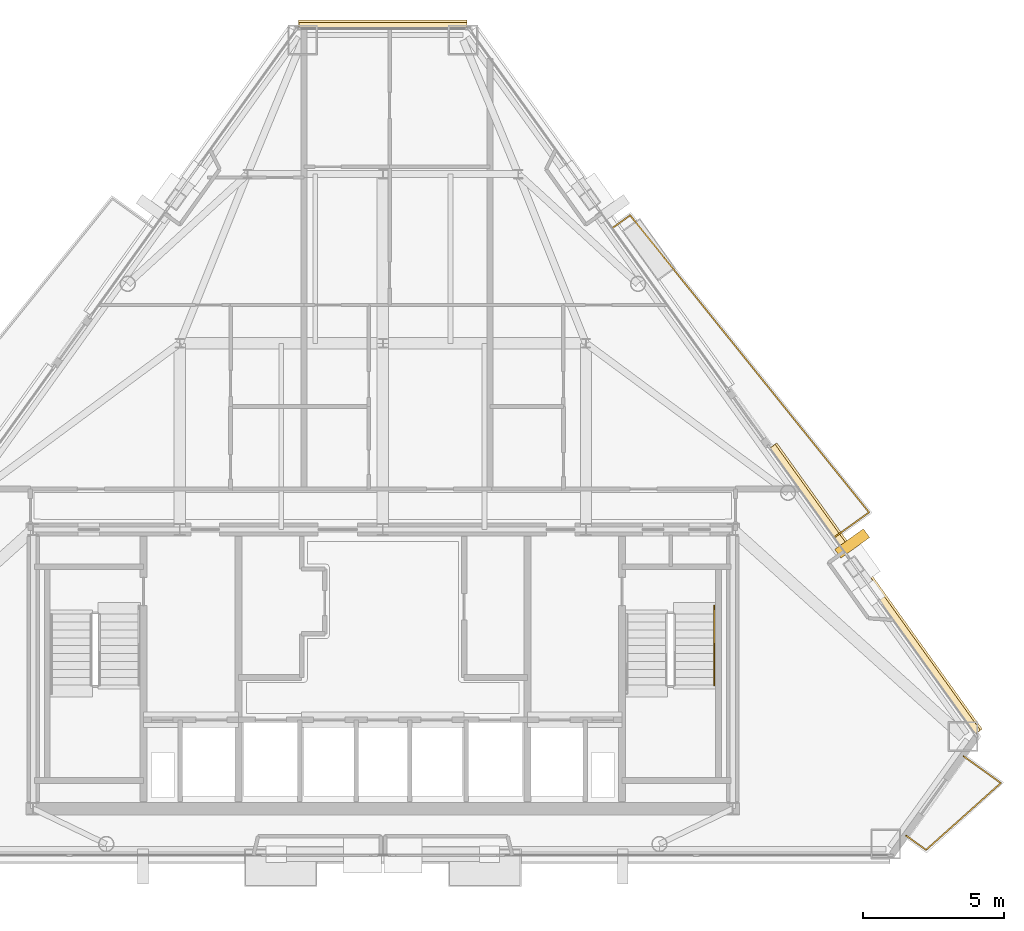
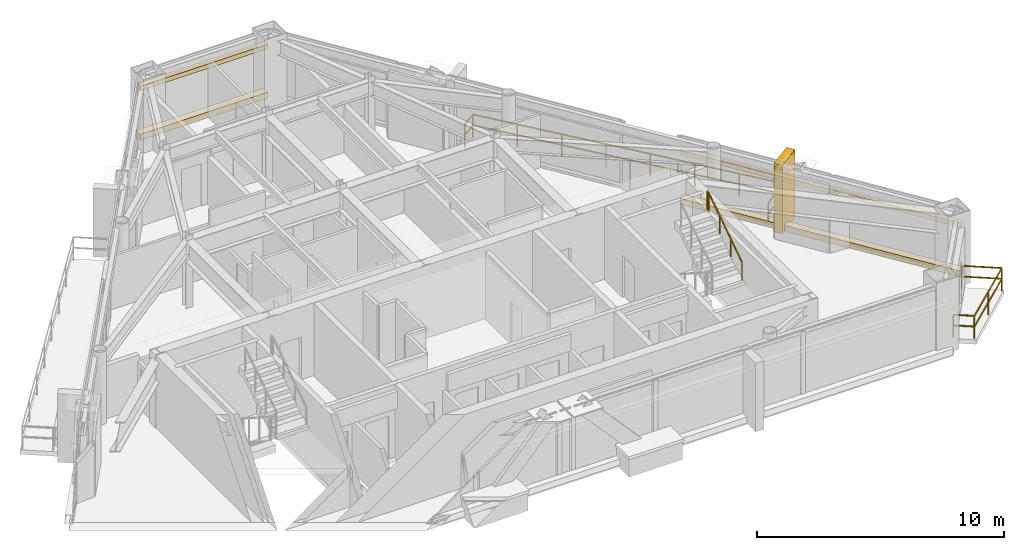
# One storey, part 12 of 12: 5 coverings, 3 railings.
"""IFC4 building model written with IfcOpenShell, lengths in metres."""

from ifc_helpers import new_model, si_unit, direction, frame, origin, origin_2d, place, context, subcontext, project, spatial, rectangle, extrude, material, layer, layer_set, type_object, element, save


model = new_model("IFC4")

# Units and contexts
model_context = context("Model", 3, precision=1e-05, world=origin(), true_north=direction((0.0, 1.0)))
body_context = subcontext(model_context, "Body", "Model", "MODEL_VIEW")
ifc_project = project(units=[si_unit("LENGTHUNIT", "METRE"), si_unit("AREAUNIT", "SQUARE_METRE"), si_unit("VOLUMEUNIT", "CUBIC_METRE"), si_unit("PLANEANGLEUNIT", "RADIAN"), si_unit("MASSUNIT", "GRAM", prefix="KILO")], contexts=[model_context])

# Site, building, storey
site_placement = place(None, origin())
site = spatial("IfcSite", under=ifc_project, at=site_placement, CompositionType="ELEMENT")
building_placement = place(site_placement, origin())
building = spatial("IfcBuilding", under=site, at=building_placement, Name="Talgorran Terracotta Tower", CompositionType="ELEMENT")
storey_placement = place(building_placement, frame((0.0, 0.0, 221.699951171875)))
storey = spatial("IfcBuildingStorey", under=building, at=storey_placement, Name="L58", CompositionType="ELEMENT", Elevation=221.699951171875)

# Coverings
ifc_material_1 = material(Name="Kiln-Fired Terracotta Ochre Ceramic", Category="masonry")
ifc_layer_1 = layer(ifc_material_1, 0.179931640625, Name="COV_BAGUETTE_TERRACOTTA_SCREEN")
ifc_layer_set_1 = layer_set([ifc_layer_1], Name="Kiln-Fired Terracotta Ochre Ceramic")
covering_type_1 = type_object("IfcCoveringType", Name="COV_BAGUETTE_TERRACOTTA_SCREEN", PredefinedType="CLADDING", material=ifc_layer_set_1)
covering_1_placement = place(storey_placement, frame((17.439453125, -6.3251953125, 2.41015625), z_axis=(0.0, 0.0, 1.0), x_axis=(-0.583115925445, 0.812388957023, 0.0)))
element("IfcCovering", 1, at=covering_1_placement, inside=storey, type_object=covering_type_1, Name="L58 Terracotta Baguette Solar Screen Assembly F40", PredefinedType="CLADDING", context=body_context, shape_type="SweptSolid", body=[
    extrude(rectangle(XDim=12.473388671875, YDim=0.260009765625, at=origin_2d()), origin(), (0.0, 0.0, 1.0), 0.219970703125),
])
covering_2_placement = place(storey_placement, frame((0.0, 13.653076171875, 2.41015625), z_axis=(0.0, 0.0, 1.0), x_axis=(-1.0, 0.0, 0.0)))
element("IfcCovering", 2, at=covering_2_placement, inside=storey, type_object=covering_type_1, Name="L58 Terracotta Baguette Solar Screen Assembly F4", PredefinedType="CLADDING", context=body_context, shape_type="SweptSolid", body=[
    extrude(rectangle(XDim=5.95654296875, YDim=0.260009765625, at=origin_2d()), origin(), (0.0, 0.0, 1.0), 0.219970703125),
])
ifc_material_2 = material(Name="Honed Limestone Cladding", Category="masonry")
ifc_layer_2 = layer(ifc_material_2, 0.094970703125, Name="COV_PORTAL_LIME")
ifc_layer_set_2 = layer_set([ifc_layer_2], Name="Honed Limestone Cladding")
covering_type_2 = type_object("IfcCoveringType", Name="COV_PORTAL_LIME", PredefinedType="CLADDING", material=ifc_layer_set_2)
covering_3_placement = place(storey_placement, frame((17.471923828125, -6.302001953125, -0.0400390625), z_axis=(0.0, 0.0, 1.0), x_axis=(-0.583115925445, 0.812388957023, 0.0)))
element("IfcCovering", 3, at=covering_3_placement, inside=storey, type_object=covering_type_2, Name="L58 Striped Postmodern Portal Cladding Band F40", PredefinedType="CLADDING", context=body_context, shape_type="SweptSolid", body=[
    extrude(rectangle(XDim=12.493408203125, YDim=0.340087890625, at=origin_2d()), origin(), (0.0, 0.0, 1.0), 0.300048828125),
])
covering_4_placement = place(storey_placement, frame((0.0, 13.693115234375, -0.0400390625), z_axis=(0.0, 0.0, 1.0), x_axis=(-1.0, 0.0, 0.0)))
element("IfcCovering", 4, at=covering_4_placement, inside=storey, type_object=covering_type_2, Name="L58 Striped Postmodern Portal Cladding Band F4", PredefinedType="CLADDING", context=body_context, shape_type="SweptSolid", body=[
    extrude(rectangle(XDim=5.9765625, YDim=0.340087890625, at=origin_2d()), origin(), (0.0, 0.0, 1.0), 0.300048828125),
])
ifc_material_3 = material(Name="Kiln-Fired Terracotta Cladding", Category="masonry")
ifc_layer_3 = layer(ifc_material_3, 0.090087890625, Name="COV_PORTAL_TERRA")
ifc_layer_set_3 = layer_set([ifc_layer_3], Name="Kiln-Fired Terracotta Cladding")
covering_type_3 = type_object("IfcCoveringType", Name="COV_PORTAL_TERRA", PredefinedType="CLADDING", material=ifc_layer_set_3)
covering_5_placement = place(storey_placement, frame((16.638671875, -4.695068359375, -0.050048828125), z_axis=(0.0, 0.0, 1.0), x_axis=(-0.583115925445, 0.812388957023, 0.0)))
element("IfcCovering", 5, at=covering_5_placement, inside=storey, type_object=covering_type_3, Name="L58 Terracotta Striped Portal Fin F3-1", PredefinedType="CLADDING", context=body_context, shape_type="SweptSolid", body=[
    extrude(rectangle(XDim=0.3798828125, YDim=1.25, at=origin_2d()), origin(), (0.0, 0.0, 1.0), 3.39501953125),
])

# Railings
ifc_material_4 = material(Name="Laminated Glass and Stainless Steel 316", Category="steel")
railing_type_1 = type_object("IfcRailingType", Name="RL_BALCONY_1150", PredefinedType="BALUSTRADE", material=ifc_material_4)
railing_1_placement = place(storey_placement, frame((16.01171875, -4.473388671875, 0.0)))
element("IfcRailing", 6, at=railing_1_placement, inside=storey, type_object=railing_type_1, Name="RL-L58-BAL-BAL-NE", PredefinedType="BALUSTRADE", context=body_context, shape_type="SweptSolid", body=[
    extrude(rectangle(XDim=0.048095703125, YDim=0.048095703125, at=origin_2d()), frame((0.0, 0.0, 1.1259765625), z_axis=(0.812364996467, 0.583149305509, 0.0), x_axis=(-0.583149305509, 0.812364996467, 0.0)), (0.0, 0.0, 1.0), 1.50927734375),
    extrude(rectangle(XDim=0.048095703125, YDim=0.048095703125, at=origin_2d()), frame((0.0, 0.0, 0.597900390625), z_axis=(0.812364996467, 0.583149305509, 0.0), x_axis=(-0.583149305509, 0.812364996467, 0.0)), (0.0, 0.0, 1.0), 1.50927734375),
    extrude(rectangle(XDim=0.048095703125, YDim=0.048095703125, at=origin_2d()), frame((1.22607421875, 0.880126953125, 1.1259765625), z_axis=(-0.626748153954, 0.779221888499, 0.0), x_axis=(-0.779221888499, -0.626748153954, 0.0)), (0.0, 0.0, 1.0), 13.515625),
    extrude(rectangle(XDim=0.048095703125, YDim=0.048095703125, at=origin_2d()), frame((1.22607421875, 0.880126953125, 0.597900390625), z_axis=(-0.626748153954, 0.779221888499, 0.0), x_axis=(-0.779221888499, -0.626748153954, 0.0)), (0.0, 0.0, 1.0), 13.515625),
    extrude(rectangle(XDim=0.048095703125, YDim=0.048095703125, at=origin_2d()), frame((-7.244873046875, 11.411865234375, 1.1259765625), z_axis=(-0.812400885545, -0.583099306435, 0.0), x_axis=(0.583099306435, -0.812400885545, 0.0)), (0.0, 0.0, 1.0), 0.768798828125),
    extrude(rectangle(XDim=0.048095703125, YDim=0.048095703125, at=origin_2d()), frame((-7.244873046875, 11.411865234375, 0.597900390625), z_axis=(-0.812400885545, -0.583099306435, 0.0), x_axis=(0.583099306435, -0.812400885545, 0.0)), (0.0, 0.0, 1.0), 0.768798828125),
    extrude(rectangle(XDim=0.0419921875, YDim=0.0419921875, at=origin_2d()), origin(), (0.0, 0.0, 1.0), 1.101806640625),
    extrude(rectangle(XDim=0.0419921875, YDim=0.0419921875, at=origin_2d()), frame((1.22607421875, 0.880126953125, 0.0)), (0.0, 0.0, 1.0), 1.101806640625),
    extrude(rectangle(XDim=0.0419921875, YDim=0.0419921875, at=origin_2d()), frame((0.015869140625, 2.384765625, 0.0)), (0.0, 0.0, 1.0), 1.101806640625),
    extrude(rectangle(XDim=0.0419921875, YDim=0.0419921875, at=origin_2d()), frame((-1.194091796875, 3.88916015625, 0.0)), (0.0, 0.0, 1.0), 1.101806640625),
    extrude(rectangle(XDim=0.0419921875, YDim=0.0419921875, at=origin_2d()), frame((-2.404296875, 5.393798828125, 0.0)), (0.0, 0.0, 1.0), 1.101806640625),
    extrude(rectangle(XDim=0.0419921875, YDim=0.0419921875, at=origin_2d()), frame((-3.614501953125, 6.898193359375, 0.0)), (0.0, 0.0, 1.0), 1.101806640625),
    extrude(rectangle(XDim=0.0419921875, YDim=0.0419921875, at=origin_2d()), frame((-4.82470703125, 8.40283203125, 0.0)), (0.0, 0.0, 1.0), 1.101806640625),
    extrude(rectangle(XDim=0.0419921875, YDim=0.0419921875, at=origin_2d()), frame((-6.03466796875, 9.9072265625, 0.0)), (0.0, 0.0, 1.0), 1.101806640625),
    extrude(rectangle(XDim=0.0419921875, YDim=0.0419921875, at=origin_2d()), frame((-7.244873046875, 11.411865234375, 0.0)), (0.0, 0.0, 1.0), 1.101806640625),
    extrude(rectangle(XDim=0.0419921875, YDim=0.0419921875, at=origin_2d()), frame((-7.869384765625, 10.963623046875, 0.0)), (0.0, 0.0, 1.0), 1.101806640625),
])
railing_2_placement = place(storey_placement, frame((18.55810546875, -15.058349609375, 0.0)))
element("IfcRailing", 7, at=railing_2_placement, inside=storey, type_object=railing_type_1, Name="RL-L58-BAL-BAL-SE", PredefinedType="BALUSTRADE", context=body_context, shape_type="SweptSolid", body=[
    extrude(rectangle(XDim=0.048095703125, YDim=0.048095703125, at=origin_2d()), frame((0.0, 0.0, 1.1259765625), z_axis=(0.812351297047, -0.583168389221, 0.0), x_axis=(0.583168389221, 0.812351297047, 0.0)), (0.0, 0.0, 1.0), 0.86083984375),
    extrude(rectangle(XDim=0.048095703125, YDim=0.048095703125, at=origin_2d()), frame((0.0, 0.0, 0.597900390625), z_axis=(0.812351297047, -0.583168389221, 0.0), x_axis=(0.583168389221, 0.812351297047, 0.0)), (0.0, 0.0, 1.0), 0.86083984375),
    extrude(rectangle(XDim=0.048095703125, YDim=0.048095703125, at=origin_2d()), frame((0.69921875, -0.501953125, 1.1259765625), z_axis=(0.745494311556, 0.666511988968, 0.0), x_axis=(-0.666511988968, 0.745494311556, 0.0)), (0.0, 0.0, 1.0), 3.557861328125),
    extrude(rectangle(XDim=0.048095703125, YDim=0.048095703125, at=origin_2d()), frame((0.69921875, -0.501953125, 0.597900390625), z_axis=(0.745494311556, 0.666511988968, 0.0), x_axis=(-0.666511988968, 0.745494311556, 0.0)), (0.0, 0.0, 1.0), 3.557861328125),
    extrude(rectangle(XDim=0.048095703125, YDim=0.048095703125, at=origin_2d()), frame((3.3515625, 1.869384765625, 1.1259765625), z_axis=(-0.812367323753, 0.583146063434, 0.0), x_axis=(-0.583146063434, -0.812367323753, 0.0)), (0.0, 0.0, 1.0), 1.6328125),
    extrude(rectangle(XDim=0.048095703125, YDim=0.048095703125, at=origin_2d()), frame((3.3515625, 1.869384765625, 0.597900390625), z_axis=(-0.812367323753, 0.583146063434, 0.0), x_axis=(-0.583146063434, -0.812367323753, 0.0)), (0.0, 0.0, 1.0), 1.6328125),
    extrude(rectangle(XDim=0.0419921875, YDim=0.0419921875, at=origin_2d()), origin(), (0.0, 0.0, 1.0), 1.101806640625),
    extrude(rectangle(XDim=0.0419921875, YDim=0.0419921875, at=origin_2d()), frame((0.69921875, -0.501953125, 0.0)), (0.0, 0.0, 1.0), 1.101806640625),
    extrude(rectangle(XDim=0.0419921875, YDim=0.0419921875, at=origin_2d()), frame((2.025390625, 0.68359375, 0.0)), (0.0, 0.0, 1.0), 1.101806640625),
    extrude(rectangle(XDim=0.0419921875, YDim=0.0419921875, at=origin_2d()), frame((3.3515625, 1.869384765625, 0.0)), (0.0, 0.0, 1.0), 1.101806640625),
    extrude(rectangle(XDim=0.0419921875, YDim=0.0419921875, at=origin_2d()), frame((2.025146484375, 2.821533203125, 0.0)), (0.0, 0.0, 1.0), 1.101806640625),
])
ifc_material_5 = material(Name="Steel S355 (300PLUS)", Category="steel")
railing_type_2 = type_object("IfcRailingType", Name="RL_HANDRAIL_920", PredefinedType="HANDRAIL", material=ifc_material_5)
railing_3_placement = place(storey_placement, frame((11.75, -9.719970703125, 1.97998046875)))
element("IfcRailing", 8, at=railing_3_placement, inside=storey, type_object=railing_type_2, Name="L58 ST-02 stair handrail 2", PredefinedType="HANDRAIL", context=body_context, shape_type="SweptSolid", body=[
    extrude(rectangle(XDim=0.048095703125, YDim=0.048095703125, at=origin_2d()), frame((0.0, 0.0, 0.89599609375), z_axis=(0.0, 0.832038719335, 0.554717558338), x_axis=(-1.0, 0.0, 0.0)), (0.0, 0.0, 1.0), 3.244873046875),
    extrude(rectangle(XDim=0.048095703125, YDim=0.048095703125, at=origin_2d()), frame((0.0, 2.699951171875, 2.69580078125), z_axis=(0.0, 1.0, 0.0), x_axis=(-1.0, 0.0, 0.0)), (0.0, 0.0, 1.0), 0.1201171875),
    extrude(rectangle(XDim=0.0419921875, YDim=0.0419921875, at=origin_2d()), origin(), (0.0, 0.0, 1.0), 0.871826171875),
    extrude(rectangle(XDim=0.0419921875, YDim=0.0419921875, at=origin_2d()), frame((0.0, 0.89990234375, 0.60009765625)), (0.0, 0.0, 1.0), 0.871826171875),
    extrude(rectangle(XDim=0.0419921875, YDim=0.0419921875, at=origin_2d()), frame((0.0, 1.800048828125, 1.199951171875)), (0.0, 0.0, 1.0), 0.871826171875),
    extrude(rectangle(XDim=0.0419921875, YDim=0.0419921875, at=origin_2d()), frame((0.0, 2.699951171875, 1.800048828125)), (0.0, 0.0, 1.0), 0.871826171875),
    extrude(rectangle(XDim=0.0419921875, YDim=0.0419921875, at=origin_2d()), frame((0.0, 2.820068359375, 1.800048828125)), (0.0, 0.0, 1.0), 0.871826171875),
])

save(model, "model.ifc")
